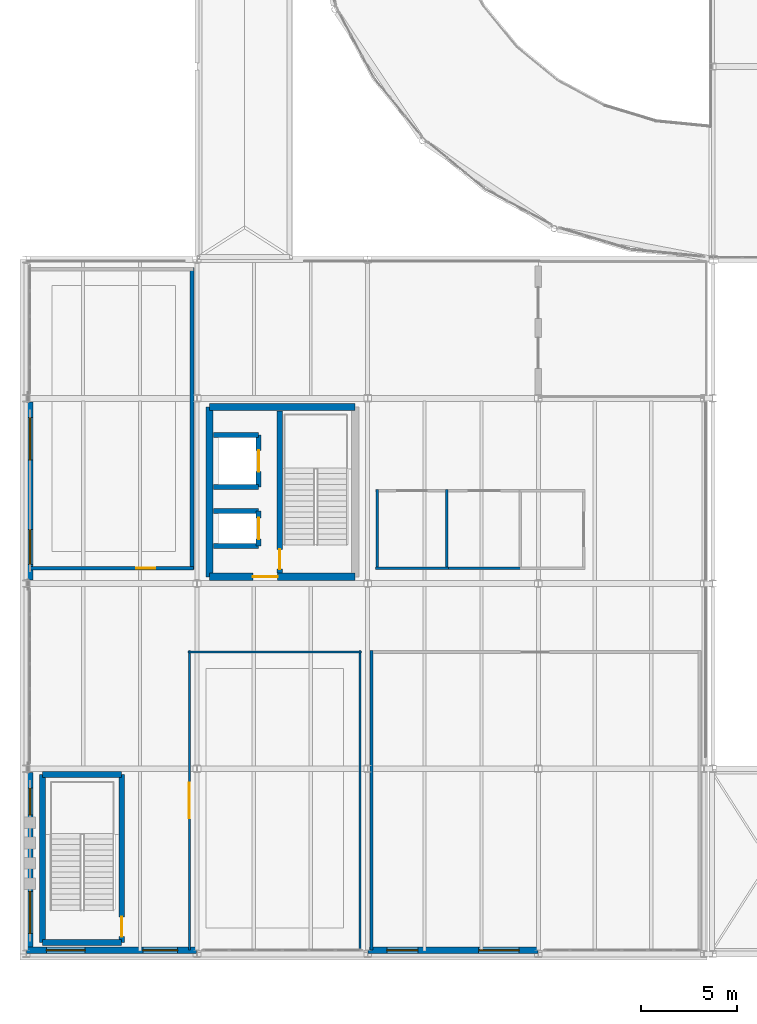
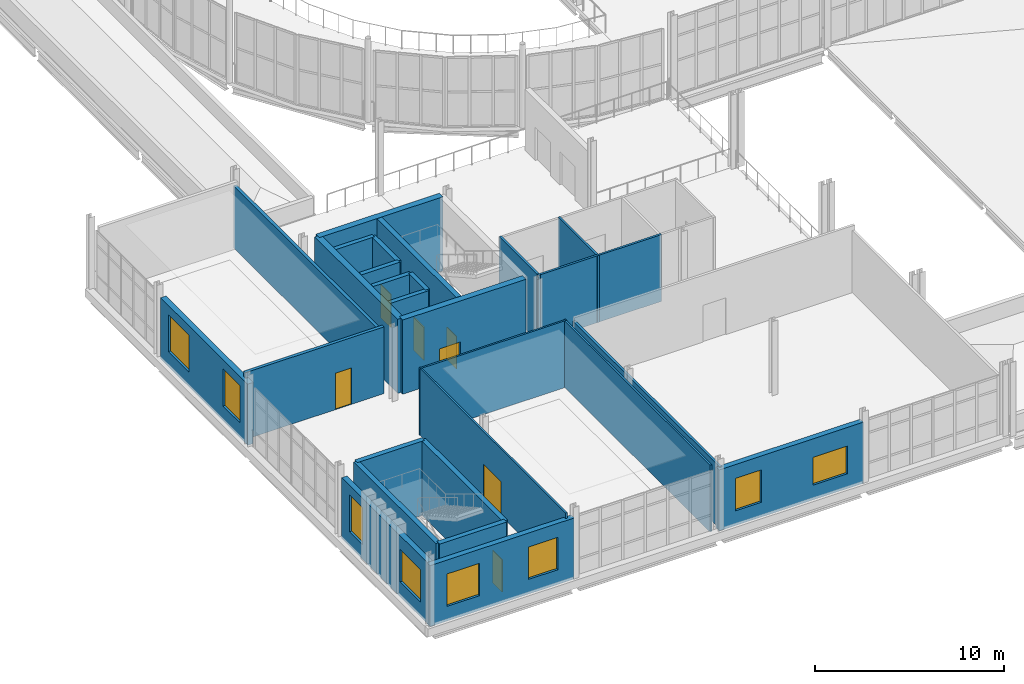
# One storey, part 91 of 112: 28 walls, 8 windows, 7 doors, 15 openings.
"""IFC4 building model written with IfcOpenShell, lengths in metres."""

import ifcopenshell
import ifcopenshell.guid

model = None  # the IFC model being written
_history = None  # IfcOwnerHistory: only IFC2X3 demands one
_inside = {}  # id of a spatial element -> (the spatial element, [elements in it])
_under = {}  # id of a project, library or spatial element -> (it, [spatial elements below it])
_declared = {}  # id of a project -> (the project, [libraries it declares])
_typed = {}  # id of a type object -> (the type object, [elements of that type])
_made_of = {}  # id of a material, layer set ... -> (it, [elements and type objects made of it])


def new_model(schema):
    """Start an empty IFC model of exactly this schema.

    Asked for "IFC4X3", IfcOpenShell would pick the latest addendum, in which some entities
    have other attributes; the version numbers below select the first issue.
    IFC2X3 requires an IfcOwnerHistory on every rooted entity: one is made here for all.
    """
    global model, _history
    if schema == "IFC4X3":
        model = ifcopenshell.file(schema_version=(4, 3, 0, 0))
    else:
        model = ifcopenshell.file(schema=schema)
    _inside.clear()
    _under.clear()
    _declared.clear()
    _typed.clear()
    _made_of.clear()
    _history = None
    if model.schema == "IFC2X3":
        org = make("IfcOrganization", Name="unknown")
        user = make(
            "IfcPersonAndOrganization",
            ThePerson=make("IfcPerson", FamilyName="unknown"),
            TheOrganization=org,
        )
        app = make(
            "IfcApplication",
            ApplicationDeveloper=org,
            Version="unknown",
            ApplicationFullName="unknown",
            ApplicationIdentifier="unknown",
        )
        _history = make(
            "IfcOwnerHistory",
            OwningUser=user,
            OwningApplication=app,
            ChangeAction="ADDED",
            CreationDate=0,
        )
    return model


def make(cls, **values):
    """One entity of the class cls with the attributes given. An attribute that is None is left unset."""
    return model.create_entity(
        cls, **{name: value for name, value in values.items() if value is not None}
    )


def rooted(cls, **values):
    """An entity with a GlobalId (a new one), such as an element, a storey or a relation."""
    return make(cls, GlobalId=ifcopenshell.guid.new(), OwnerHistory=_history, **values)


def si_unit(unit_type, name, prefix=None):
    """IfcSIUnit, for example si_unit("LENGTHUNIT", "METRE", prefix="MILLI")."""
    return make("IfcSIUnit", UnitType=unit_type, Prefix=prefix, Name=name)


def assignment(units):
    """IfcUnitAssignment: the units of a project."""
    return None if units is None else make("IfcUnitAssignment", Units=units)


def point(xyz):
    """IfcCartesianPoint."""
    return None if xyz is None else make("IfcCartesianPoint", Coordinates=xyz)


def direction(xyz):
    """IfcDirection."""
    return None if xyz is None else make("IfcDirection", DirectionRatios=xyz)


def frame(location, z_axis=None, x_axis=None):
    """IfcAxis2Placement3D, a coordinate frame: its origin and axes. An axis left out is left unset."""
    return make(
        "IfcAxis2Placement3D",
        Location=point(location),
        Axis=direction(z_axis),
        RefDirection=direction(x_axis),
    )


def frame_2d(location, x_axis=None):
    """IfcAxis2Placement2D, a coordinate frame in the plane: its origin and x axis."""
    return make(
        "IfcAxis2Placement2D", Location=point(location), RefDirection=direction(x_axis)
    )


def origin():
    """The frame at (0, 0, 0) with its axes left unset."""
    return frame((0.0, 0.0, 0.0))


def place(relative_to, where):
    """IfcLocalPlacement: puts the frame where relative to a parent placement (None: the world)."""
    return make(
        "IfcLocalPlacement", PlacementRelTo=relative_to, RelativePlacement=where
    )


def context(
    kind, dimensions, precision=None, world=None, true_north=None, identifier=None
):
    """IfcGeometricRepresentationContext, for example the 3D "Model" context."""
    return make(
        "IfcGeometricRepresentationContext",
        ContextIdentifier=identifier,
        ContextType=kind,
        CoordinateSpaceDimension=dimensions,
        Precision=precision,
        WorldCoordinateSystem=world,
        TrueNorth=true_north,
    )


def subcontext(parent, identifier, kind, view, scale=None):
    """IfcGeometricRepresentationSubContext, for example "Body" below "Model"."""
    return make(
        "IfcGeometricRepresentationSubContext",
        ContextIdentifier=identifier,
        ContextType=kind,
        ParentContext=parent,
        TargetScale=scale,
        TargetView=view,
    )


def project(units=None, contexts=None):
    """IfcProject with its units and contexts."""
    return rooted(
        "IfcProject",
        Name="project",
        RepresentationContexts=contexts,
        UnitsInContext=assignment(units),
    )


def spatial(cls, under=None, at=None, **own):
    """A site, building, storey or space (cls), placed at a placement, below another one or the project."""
    s = rooted(cls, ObjectPlacement=at, **own)
    if under is not None:
        _under.setdefault(under.id(), (under, []))[1].append(s)
    return s


def profile(cls, at=None, kind="AREA", **sizes):
    """A parametric profile (cls). Its sizes go by their IFC names, for example OverallWidth=200.0."""
    return make(cls, ProfileType=kind, Position=at, **sizes)


def rectangle(**sizes):
    """IfcRectangleProfileDef."""
    return profile("IfcRectangleProfileDef", **sizes)


def extrude(swept, where, along, depth):
    """IfcExtrudedAreaSolid: the profile swept, set in the frame where, extruded along a direction by depth."""
    return make(
        "IfcExtrudedAreaSolid",
        SweptArea=swept,
        Position=where,
        ExtrudedDirection=direction(along),
        Depth=depth,
    )


def shape(context_of_items, identifier, shape_type, items):
    """IfcShapeRepresentation: the items that make up one representation, for example the "Body"."""
    return make(
        "IfcShapeRepresentation",
        ContextOfItems=context_of_items,
        RepresentationIdentifier=identifier,
        RepresentationType=shape_type,
        Items=items,
    )


def material(Name=None, Category=None):
    """IfcMaterial."""
    return make("IfcMaterial", Name=Name, Category=Category)


def layer(
    of_material, thickness, ventilated=None, Name=None, Category=None, Priority=None
):
    """IfcMaterialLayer: one layer of a wall or slab, of a material (None: an air gap)."""
    return make(
        "IfcMaterialLayer",
        Material=of_material,
        LayerThickness=thickness,
        IsVentilated=ventilated,
        Name=Name,
        Category=Category,
        Priority=Priority,
    )


def layer_set(layers, Name=None):
    """IfcMaterialLayerSet."""
    return make("IfcMaterialLayerSet", MaterialLayers=layers, LayerSetName=Name)


def made_of(thing, what):
    """Note that an element or type object is made of a material, layer set ...; save() writes the relation."""
    if what is not None:
        _made_of.setdefault(what.id(), (what, []))[1].append(thing)
    return thing


def type_object(cls, material=None, **own):
    """A type object (cls), such as IfcWallType, which elements share."""
    return made_of(rooted(cls, **own), material)


def element(
    cls,
    number,
    at=None,
    inside=None,
    cuts=None,
    type_object=None,
    material=None,
    context=None,
    identifier="Body",
    shape_type=None,
    held_by="IfcProductDefinitionShape",
    body=None,
    shapes=None,
    **own,
):
    """One element of the class cls, such as IfcWall. Its Tag is "e" and its number.

    at: its placement. inside: the storey or other place that contains it. cuts: it is an
    opening in that element (IfcRelVoidsElement). A single representation is given by context,
    identifier, shape_type and body (its items); several are given by shapes. held_by: the class
    of the entity that holds the representations. save() writes the other relations.
    """
    e = rooted(cls, Tag="e%d" % number, ObjectPlacement=at, **own)
    if body is not None:
        shapes = [shape(context, identifier, shape_type, body)]
    if shapes is not None:
        e.Representation = make(held_by, Representations=shapes)
    if inside is not None:
        _inside.setdefault(inside.id(), (inside, []))[1].append(e)
    if cuts is not None:
        rooted(
            "IfcRelVoidsElement", RelatingBuildingElement=cuts, RelatedOpeningElement=e
        )
    if type_object is not None:
        _typed.setdefault(type_object.id(), (type_object, []))[1].append(e)
    return made_of(e, material)


def fill(opening, filler):
    """IfcRelFillsElement: the door or window that sits in an opening."""
    return rooted(
        "IfcRelFillsElement",
        RelatingOpeningElement=opening,
        RelatedBuildingElement=filler,
    )


def aggregate(whole, parts):
    """IfcRelAggregates: a whole, such as a stair, and the parts it consists of."""
    return rooted("IfcRelAggregates", RelatingObject=whole, RelatedObjects=parts)


def save(model, path):
    """Write the relations noted so far, then the file.

    IfcRelAggregates (storeys below a building ...), IfcRelContainedInSpatialStructure (elements
    in a storey), IfcRelDefinesByType, IfcRelAssociatesMaterial and IfcRelDeclares: one each for
    every whole, place, type object, material and project.
    """
    for whole, parts in _under.values():
        aggregate(whole, parts)
    for where, things in _inside.values():
        rooted(
            "IfcRelContainedInSpatialStructure",
            RelatedElements=things,
            RelatingStructure=where,
        )
    for kind, things in _typed.values():
        rooted("IfcRelDefinesByType", RelatedObjects=things, RelatingType=kind)
    for what, things in _made_of.values():
        rooted("IfcRelAssociatesMaterial", RelatedObjects=things, RelatingMaterial=what)
    for by, libraries in _declared.values():
        rooted("IfcRelDeclares", RelatingContext=by, RelatedDefinitions=libraries)
    model.write(path)


model = new_model("IFC4")

# Units and contexts
model_context = context("Model", 3, precision=1e-05, world=origin(), true_north=direction((0.0, 1.0)))
body_context = subcontext(model_context, "Body", "Model", "MODEL_VIEW")
ifc_project = project(units=[si_unit("LENGTHUNIT", "METRE"), si_unit("AREAUNIT", "SQUARE_METRE"), si_unit("VOLUMEUNIT", "CUBIC_METRE"), si_unit("PLANEANGLEUNIT", "RADIAN"), si_unit("MASSUNIT", "GRAM", prefix="KILO")], contexts=[model_context])

# Site, building, storey
site_placement = place(None, origin())
site = spatial("IfcSite", under=ifc_project, at=site_placement, CompositionType="ELEMENT")
building_placement = place(site_placement, origin())
building = spatial("IfcBuilding", under=site, at=building_placement, Name="Yeouljin Market Hall", CompositionType="ELEMENT")
storey_placement = place(building_placement, frame((0.0, 0.0, 6.0)))
storey = spatial("IfcBuildingStorey", under=building, at=storey_placement, Name="L01", CompositionType="ELEMENT", Elevation=6.0)

# Wall
ifc_material_1 = material(Name="Gypsum Board Acoustic Partition")
ifc_layer_1 = layer(ifc_material_1, 0.14990234375)
ifc_layer_set_1 = layer_set([ifc_layer_1], Name="Gypsum Board Acoustic Partition")
wall_type_1 = type_object("IfcWallType", Name="Part_Classroom_150", PredefinedType="PARTITIONING", material=ifc_layer_set_1)
wall_1_placement = place(storey_placement, frame((17.89990234375, 15.72998046875, 0.0), z_axis=(0.0, 0.0, 1.0), x_axis=(0.0, -1.0, 0.0)))
element("IfcWall", 1, at=wall_1_placement, inside=storey, type_object=wall_type_1, Name="Interior partition PART-L01-0089", PredefinedType="PARTITIONING", context=body_context, shape_type="SweptSolid", body=[
    extrude(rectangle(XDim=15.530029296875, YDim=0.14990234375, at=frame_2d((7.76513671875, 0.0))), origin(), (0.0, 0.0, 1.0), 4.014892578125),
])

# Wall, opening, door
ifc_material_2 = material(Name="Ceramic-Faced Acoustic Partition")
ifc_layer_2 = layer(ifc_material_2, 0.18994140625)
ifc_layer_set_2 = layer_set([ifc_layer_2], Name="Ceramic-Faced Acoustic Partition")
wall_type_2 = type_object("IfcWallType", Name="Part_KitchenTile_190", PredefinedType="PARTITIONING", material=ifc_layer_set_2)
wall_2_placement = place(storey_placement, frame((0.199951171875, 20.0, 0.0), z_axis=(0.0, 0.0, 1.0), x_axis=(1.0, 0.0, 0.0)))
wall_2 = element("IfcWall", 2, at=wall_2_placement, inside=storey, type_object=wall_type_2, Name="Interior partition PART-L01-0091", PredefinedType="PARTITIONING", context=body_context, shape_type="SweptSolid", body=[
    extrude(rectangle(XDim=8.47998046875, YDim=0.18994140625, at=frame_2d((4.239990234375, 0.0))), origin(), (0.0, 0.0, 1.0), 4.320068359375),
])
opening_1_placement = place(wall_2_placement, frame((5.514892578125, 0.0, 0.0)))
opening_1 = element("IfcOpeningElement", 3, at=opening_1_placement, cuts=wall_2, Name="Opening D-L01-029", PredefinedType="OPENING", context=body_context, shape_type="SweptSolid", body=[
    extrude(rectangle(XDim=0.97998046875, YDim=2.360107421875, at=frame_2d((0.489990234375, 1.18017578125))), frame((0.0, 0.10498046875, 0.0), z_axis=(0.0, -1.0, 0.0), x_axis=(1.0, 0.0, 0.0)), (0.0, 0.0, 1.0), 0.2099609375),
])
ifc_material_3 = material(Name="Acoustic Timber Veneer", Category="wood")
door_type_1 = type_object("IfcDoorType", Name="DT-ID098T", OperationType="NOTDEFINED", PredefinedType="DOOR", material=ifc_material_3)
door_1_placement = place(opening_1_placement, origin())
door_1 = element("IfcDoor", 4, at=door_1_placement, inside=storey, type_object=door_type_1, Name="Interior door D-L01-029 (Market Management Office)", OperationType="SINGLE_SWING_LEFT", OverallHeight=2.360107421875, OverallWidth=0.97998046875, PredefinedType="DOOR", context=body_context, shape_type="SweptSolid", body=[
    extrude(rectangle(XDim=0.97998046875, YDim=2.360107421875, at=frame_2d((0.489990234375, 1.18017578125))), frame((0.0, 0.02490234375, 0.0), z_axis=(0.0, -1.0, 0.0), x_axis=(1.0, 0.0, 0.0)), (0.0, 0.0, 1.0), 0.050048828125),
])
fill(opening_1, door_1)

# Wall
wall_3_placement = place(storey_placement, frame((8.60009765625, 19.919921875, 0.0), z_axis=(0.0, 0.0, 1.0), x_axis=(0.0, 1.0, 0.0)))
element("IfcWall", 5, at=wall_3_placement, inside=storey, type_object=wall_type_2, Name="Interior partition PART-L01-0092", PredefinedType="PARTITIONING", context=body_context, shape_type="SweptSolid", body=[
    extrude(rectangle(XDim=15.66015625, YDim=0.18994140625, at=frame_2d((7.830078125, 0.0))), origin(), (0.0, 0.0, 1.0), 4.014892578125),
])

# Wall, opening, door
ifc_material_4 = material(Name="Gypsum Board Partition")
ifc_layer_3 = layer(ifc_material_4, 0.110107421875)
ifc_layer_set_3 = layer_set([ifc_layer_3], Name="Gypsum Board Partition")
wall_type_3 = type_object("IfcWallType", Name="Part_Office_110", PredefinedType="PARTITIONING", material=ifc_layer_set_3)
wall_4_placement = place(storey_placement, frame((8.4599609375, 15.72998046875, 0.0), z_axis=(0.0, 0.0, 1.0), x_axis=(0.0, -1.0, 0.0)))
wall_4 = element("IfcWall", 6, at=wall_4_placement, inside=storey, type_object=wall_type_3, Name="Interior partition PART-L01-0085", PredefinedType="PARTITIONING", context=body_context, shape_type="SweptSolid", body=[
    extrude(rectangle(XDim=15.530029296875, YDim=0.110107421875, at=frame_2d((7.76513671875, 0.0))), origin(), (0.0, 0.0, 1.0), 4.320068359375),
])
opening_2_placement = place(wall_4_placement, frame((6.844970703125, 0.0, 0.0)))
opening_2 = element("IfcOpeningElement", 7, at=opening_2_placement, cuts=wall_4, Name="Opening D-L01-027", PredefinedType="OPENING", context=body_context, shape_type="SweptSolid", body=[
    extrude(rectangle(XDim=1.840087890625, YDim=2.199951171875, at=frame_2d((0.919921875, 1.10009765625))), frame((0.0, 0.06494140625, 0.0), z_axis=(0.0, -1.0, 0.0), x_axis=(1.0, 0.0, 0.0)), (0.0, 0.0, 1.0), 0.130126953125),
])
ifc_material_5 = material(Name="Painted Fire-Rated Steel", Category="steel")
door_type_2 = type_object("IfcDoorType", Name="DT-FD184", OperationType="NOTDEFINED", PredefinedType="DOOR", material=ifc_material_5)
door_2_placement = place(opening_2_placement, origin())
door_2 = element("IfcDoor", 8, at=door_2_placement, inside=storey, type_object=door_type_2, Name="Interior door D-L01-027 (Fermentation Workshop)", OperationType="SINGLE_SWING_LEFT", OverallHeight=2.199951171875, OverallWidth=1.840087890625, PredefinedType="DOOR", context=body_context, shape_type="SweptSolid", body=[
    extrude(rectangle(XDim=1.840087890625, YDim=2.199951171875, at=frame_2d((0.919921875, 1.10009765625))), frame((0.0, 0.02490234375, 0.0), z_axis=(0.0, -1.0, 0.0), x_axis=(1.0, 0.0, 0.0)), (0.0, 0.0, 1.0), 0.050048828125),
])
fill(opening_2, door_2)

# Walls
wall_5_placement = place(storey_placement, frame((17.3798828125, 15.64990234375, 0.0), z_axis=(0.0, 0.0, 1.0), x_axis=(-1.0, 0.0, 0.0)))
element("IfcWall", 9, at=wall_5_placement, inside=storey, type_object=wall_type_3, Name="Interior partition PART-L01-0086", PredefinedType="PARTITIONING", context=body_context, shape_type="SweptSolid", body=[
    extrude(rectangle(XDim=9.0, YDim=0.110107421875, at=frame_2d((4.5, 0.0))), origin(), (0.0, 0.0, 1.0), 4.320068359375),
])
wall_6_placement = place(storey_placement, frame((17.300048828125, 0.199951171875, 0.0), z_axis=(0.0, 0.0, 1.0), x_axis=(0.0, 1.0, 0.0)))
element("IfcWall", 10, at=wall_6_placement, inside=storey, type_object=wall_type_3, Name="Interior partition PART-L01-0087", PredefinedType="PARTITIONING", context=body_context, shape_type="SweptSolid", body=[
    extrude(rectangle(XDim=15.530029296875, YDim=0.110107421875, at=frame_2d((7.76513671875, 0.0))), origin(), (0.0, 0.0, 1.0), 4.320068359375),
])
ifc_material_6 = material(Name="Moisture-Resistant Gypsum Partition")
ifc_layer_4 = layer(ifc_material_6, 0.1298828125)
ifc_layer_set_4 = layer_set([ifc_layer_4], Name="Moisture-Resistant Gypsum Partition")
wall_type_4 = type_object("IfcWallType", Name="Part_Sanitary_130", PredefinedType="PARTITIONING", material=ifc_layer_set_4)
wall_7_placement = place(storey_placement, frame((18.1201171875, 20.0, 0.0), z_axis=(0.0, 0.0, 1.0), x_axis=(1.0, 0.0, 0.0)))
element("IfcWall", 11, at=wall_7_placement, inside=storey, type_object=wall_type_4, Name="Interior partition PART-L01-0072", PredefinedType="PARTITIONING", context=body_context, shape_type="SweptSolid", body=[
    extrude(rectangle(XDim=3.759765625, YDim=0.1298828125, at=frame_2d((1.8798828125, 0.0))), origin(), (0.0, 0.0, 1.0), 4.320068359375),
])
for number, where, z_axis, x_axis, name in (
    (12, (21.800048828125, 19.919921875, 0.0), (0.0, 0.0, 1.0), (0.0, 1.0, 0.0), "Interior partition PART-L01-0073"),
    (13, (18.199951171875, 24.080078125, 0.0), (0.0, 0.0, 1.0), (0.0, -1.0, 0.0), "Interior partition PART-L01-0074"),
):
    element("IfcWall", number, at=place(storey_placement, frame(where, z_axis=z_axis, x_axis=x_axis)), inside=storey, type_object=wall_type_4, Name=name, PredefinedType="PARTITIONING", context=body_context, shape_type="SweptSolid", body=[
        extrude(rectangle(XDim=4.16015625, YDim=0.1298828125, at=frame_2d((2.080078125, 0.0))), origin(), (0.0, 0.0, 1.0), 4.320068359375),
    ])
wall_8_placement = place(storey_placement, frame((21.800048828125, 20.0, 0.0), z_axis=(0.0, 0.0, 1.0), x_axis=(1.0, 0.0, 0.0)))
element("IfcWall", 14, at=wall_8_placement, inside=storey, type_object=wall_type_4, Name="Interior partition PART-L01-0076", PredefinedType="PARTITIONING", context=body_context, shape_type="SweptSolid", body=[
    extrude(rectangle(XDim=3.8798828125, YDim=0.1298828125, at=frame_2d((1.93994140625, 0.0))), origin(), (0.0, 0.0, 1.0), 4.320068359375),
])

# Wall, opening, door
ifc_material_7 = material(Name="Concrete C35/45", Category="concrete")
ifc_layer_5 = layer(ifc_material_7, 0.260009765625)
ifc_layer_set_5 = layer_set([ifc_layer_5], Name="Concrete C35/45")
wall_type_5 = type_object("IfcWallType", Name="Wall_Compartment_260", PredefinedType="SHEAR", material=ifc_layer_set_5)
wall_9_placement = place(storey_placement, frame((12.054931640625, 21.14990234375, 0.0), z_axis=(0.0, 0.0, 1.0), x_axis=(0.0, 1.0, 0.0)))
wall_9 = element("IfcWall", 15, at=wall_9_placement, inside=storey, type_object=wall_type_5, Name="Lift LP-01 hoistway front wall (L01)", PredefinedType="SHEAR", context=body_context, shape_type="SweptSolid", body=[
    extrude(rectangle(XDim=1.800048828125, YDim=0.260009765625, at=frame_2d((0.89990234375, 0.0))), origin(), (0.0, 0.0, 1.0), 4.800048828125),
])
opening_3_placement = place(wall_9_placement, frame((0.35009765625, 0.0, 0.0)))
opening_3 = element("IfcOpeningElement", 16, at=opening_3_placement, cuts=wall_9, Name="Opening LD-LP-01-L01", PredefinedType="OPENING", context=body_context, shape_type="SweptSolid", body=[
    extrude(rectangle(XDim=1.10009765625, YDim=2.14990234375, at=frame_2d((0.550048828125, 1.074951171875))), frame((0.0, 0.139892578125, 0.0), z_axis=(0.0, -1.0, 0.0), x_axis=(1.0, 0.0, 0.0)), (0.0, 0.0, 1.0), 0.280029296875),
])
ifc_material_8 = material(Name="Brushed Stainless Steel", Category="steel")
door_type_3 = type_object("IfcDoorType", Name="LD-110", OperationType="SLIDING_TO_LEFT", PredefinedType="DOOR", material=ifc_material_8)
door_3_placement = place(opening_3_placement, origin())
door_3 = element("IfcDoor", 17, at=door_3_placement, inside=storey, type_object=door_type_3, Name="Lift landing sliding door LD-LP-01-L01", OperationType="SLIDING_TO_LEFT", OverallHeight=2.14990234375, OverallWidth=1.10009765625, PredefinedType="DOOR", context=body_context, shape_type="SweptSolid", body=[
    extrude(rectangle(XDim=1.10009765625, YDim=2.14990234375, at=frame_2d((0.550048828125, 1.074951171875))), frame((0.0, 0.02490234375, 0.0), z_axis=(0.0, -1.0, 0.0), x_axis=(1.0, 0.0, 0.0)), (0.0, 0.0, 1.0), 0.050048828125),
])
fill(opening_3, door_3)

# Walls
for number, where, z_axis, x_axis, name in (
    (18, (9.699951171875, 21.14990234375, 0.0), (0.0, 0.0, 1.0), (1.0, 0.0, 0.0), "Lift LP-01 shaft cheek wall S (L01)"),
    (19, (9.699951171875, 22.949951171875, 0.0), (0.0, 0.0, 1.0), (1.0, 0.0, 0.0), "Lift LP-01 shaft cheek wall N (L01)"),
):
    element("IfcWall", number, at=place(storey_placement, frame(where, z_axis=z_axis, x_axis=x_axis)), inside=storey, type_object=wall_type_5, Name=name, PredefinedType="SHEAR", context=body_context, shape_type="SweptSolid", body=[
        extrude(rectangle(XDim=2.35498046875, YDim=0.260009765625, at=frame_2d((1.177490234375, 0.0))), origin(), (0.0, 0.0, 1.0), 4.800048828125),
    ])

# Wall, opening, door
wall_10_placement = place(storey_placement, frame((12.054931640625, 24.199951171875, 0.0), z_axis=(0.0, 0.0, 1.0), x_axis=(0.0, 1.0, 0.0)))
wall_10 = element("IfcWall", 20, at=wall_10_placement, inside=storey, type_object=wall_type_5, Name="Lift LS-01 hoistway front wall (L01)", PredefinedType="SHEAR", context=body_context, shape_type="SweptSolid", body=[
    extrude(rectangle(XDim=2.699951171875, YDim=0.260009765625, at=frame_2d((1.35009765625, 0.0))), origin(), (0.0, 0.0, 1.0), 4.800048828125),
])
opening_4_placement = place(wall_10_placement, frame((0.800048828125, 0.0, 0.0)))
opening_4 = element("IfcOpeningElement", 21, at=opening_4_placement, cuts=wall_10, Name="Opening LD-LS-01-L01", PredefinedType="OPENING", context=body_context, shape_type="SweptSolid", body=[
    extrude(rectangle(XDim=1.10009765625, YDim=2.14990234375, at=frame_2d((0.550048828125, 1.074951171875))), frame((0.0, 0.139892578125, 0.0), z_axis=(0.0, -1.0, 0.0), x_axis=(1.0, 0.0, 0.0)), (0.0, 0.0, 1.0), 0.280029296875),
])
door_4_placement = place(opening_4_placement, origin())
door_4 = element("IfcDoor", 22, at=door_4_placement, inside=storey, type_object=door_type_3, Name="Lift landing sliding door LD-LS-01-L01", OperationType="SLIDING_TO_LEFT", OverallHeight=2.14990234375, OverallWidth=1.10009765625, PredefinedType="DOOR", context=body_context, shape_type="SweptSolid", body=[
    extrude(rectangle(XDim=1.10009765625, YDim=2.14990234375, at=frame_2d((0.550048828125, 1.074951171875))), frame((0.0, 0.02490234375, 0.0), z_axis=(0.0, -1.0, 0.0), x_axis=(1.0, 0.0, 0.0)), (0.0, 0.0, 1.0), 0.050048828125),
])
fill(opening_4, door_4)

# Walls
for number, where, z_axis, x_axis, name in (
    (23, (9.699951171875, 24.199951171875, 0.0), (0.0, 0.0, 1.0), (1.0, 0.0, 0.0), "Lift LS-01 shaft cheek wall S (L01)"),
    (24, (9.699951171875, 26.89990234375, 0.0), (0.0, 0.0, 1.0), (1.0, 0.0, 0.0), "Lift LS-01 shaft cheek wall N (L01)"),
):
    element("IfcWall", number, at=place(storey_placement, frame(where, z_axis=z_axis, x_axis=x_axis)), inside=storey, type_object=wall_type_5, Name=name, PredefinedType="SHEAR", context=body_context, shape_type="SweptSolid", body=[
        extrude(rectangle(XDim=2.35498046875, YDim=0.260009765625, at=frame_2d((1.177490234375, 0.0))), origin(), (0.0, 0.0, 1.0), 4.800048828125),
    ])

# Wall, opening, door
ifc_material_9 = material(Name="Concrete C35/45", Category="concrete")
ifc_layer_6 = layer(ifc_material_9, 0.3798828125)
ifc_layer_set_6 = layer_set([ifc_layer_6], Name="Concrete C35/45")
wall_type_6 = type_object("IfcWallType", Name="Wall_CoreShear_380", PredefinedType="SHEAR", material=ifc_layer_set_6)
wall_11_placement = place(storey_placement, frame((9.5, 19.550048828125, 0.0), z_axis=(0.0, 0.0, 1.0), x_axis=(1.0, 0.0, 0.0)))
wall_11 = element("IfcWall", 25, at=wall_11_placement, inside=storey, type_object=wall_type_6, Name="Core C1 south shear wall (L01)", PredefinedType="SHEAR", context=body_context, shape_type="SweptSolid", body=[
    extrude(rectangle(XDim=7.550048828125, YDim=0.3798828125, at=frame_2d((3.77490234375, 0.0))), origin(), (0.0, 0.0, 1.0), 4.800048828125),
])
opening_5_placement = place(wall_11_placement, frame((2.25, 0.0, 0.0)))
opening_5 = element("IfcOpeningElement", 26, at=opening_5_placement, cuts=wall_11, Name="Opening FD-C1-L01-01", PredefinedType="OPENING", context=body_context, shape_type="SweptSolid", body=[
    extrude(rectangle(XDim=1.280029296875, YDim=2.14990234375, at=frame_2d((0.64013671875, 1.074951171875))), frame((0.0, 0.199951171875, 0.0), z_axis=(0.0, -1.0, 0.0), x_axis=(1.0, 0.0, 0.0)), (0.0, 0.0, 1.0), 0.39990234375),
])
ifc_material_10 = material(Name="Painted Fire-Rated Steel", Category="steel")
door_type_4 = type_object("IfcDoorType", Name="DT-FD128", OperationType="NOTDEFINED", PredefinedType="DOOR", material=ifc_material_10)
door_5_placement = place(opening_5_placement, origin())
door_5 = element("IfcDoor", 27, at=door_5_placement, inside=storey, type_object=door_type_4, Name="Core C1 lobby fire door (L01)", OperationType="SINGLE_SWING_LEFT", OverallHeight=2.14990234375, OverallWidth=1.280029296875, PredefinedType="DOOR", context=body_context, shape_type="SweptSolid", body=[
    extrude(rectangle(XDim=1.280029296875, YDim=2.14990234375, at=frame_2d((0.64013671875, 1.074951171875))), frame((0.0, 0.02490234375, 0.0), z_axis=(0.0, -1.0, 0.0), x_axis=(1.0, 0.0, 0.0)), (0.0, 0.0, 1.0), 0.050048828125),
])
fill(opening_5, door_5)

# Walls
wall_12_placement = place(storey_placement, frame((17.050048828125, 28.35009765625, 0.0), z_axis=(0.0, 0.0, 1.0), x_axis=(-1.0, 0.0, 0.0)))
element("IfcWall", 28, at=wall_12_placement, inside=storey, type_object=wall_type_6, Name="Core C1 north shear wall (L01)", PredefinedType="SHEAR", context=body_context, shape_type="SweptSolid", body=[
    extrude(rectangle(XDim=7.550048828125, YDim=0.3798828125, at=frame_2d((3.77490234375, 0.0))), origin(), (0.0, 0.0, 1.0), 4.800048828125),
])
wall_13_placement = place(storey_placement, frame((9.5, 28.35009765625, 0.0), z_axis=(0.0, 0.0, 1.0), x_axis=(0.0, -1.0, 0.0)))
element("IfcWall", 29, at=wall_13_placement, inside=storey, type_object=wall_type_6, Name="Core C1 west shear wall (L01)", PredefinedType="SHEAR", context=body_context, shape_type="SweptSolid", body=[
    extrude(rectangle(XDim=8.800048828125, YDim=0.3798828125, at=frame_2d((4.39990234375, 0.0))), origin(), (0.0, 0.0, 1.0), 4.800048828125),
])

# Wall, openings, windows
ifc_material_11 = material(Name="Clinker Brick Masonry F2-S2", Category="masonry")
ifc_layer_7 = layer(ifc_material_11, 0.330078125)
ifc_layer_set_7 = layer_set([ifc_layer_7], Name="Clinker Brick Masonry F2-S2")
wall_type_7 = type_object("IfcWallType", Name="Wall_Ext_ClinkerCavity_330", PredefinedType="SOLIDWALL", material=ifc_layer_set_7)
wall_14_placement = place(storey_placement, frame((26.5380859375, 0.199951171875, 0.0), z_axis=(0.0, 0.0, 1.0), x_axis=(-1.0, 0.0, 0.0)))
wall_14 = element("IfcWall", 30, at=wall_14_placement, inside=storey, type_object=wall_type_7, Name="Exterior wall WE-L01-B02", PredefinedType="SOLIDWALL", context=body_context, shape_type="SweptSolid", body=[
    extrude(rectangle(XDim=8.826171875, YDim=0.330078125, at=frame_2d((4.4130859375, 0.0))), origin(), (0.0, 0.0, 1.0), 3.949951171875),
])
opening_6_placement = place(wall_14_placement, frame((0.988037109375, 0.0, 0.949951171875)))
opening_6 = element("IfcOpeningElement", 31, at=opening_6_placement, cuts=wall_14, Name="Opening WN-08", PredefinedType="OPENING", context=body_context, shape_type="SweptSolid", body=[
    extrude(rectangle(XDim=2.10009765625, YDim=1.800048828125, at=frame_2d((1.050048828125, 0.89990234375))), frame((0.0, 0.175048828125, 0.0), z_axis=(0.0, -1.0, 0.0), x_axis=(1.0, 0.0, 0.0)), (0.0, 0.0, 1.0), 0.35009765625),
])
opening_7_placement = place(wall_14_placement, frame((6.238037109375, 0.0, 0.949951171875)))
opening_7 = element("IfcOpeningElement", 32, at=opening_7_placement, cuts=wall_14, Name="Opening WN-15", PredefinedType="OPENING", context=body_context, shape_type="SweptSolid", body=[
    extrude(rectangle(XDim=1.60009765625, YDim=2.10009765625, at=frame_2d((0.800048828125, 1.050048828125))), frame((0.0, 0.175048828125, 0.0), z_axis=(0.0, -1.0, 0.0), x_axis=(1.0, 0.0, 0.0)), (0.0, 0.0, 1.0), 0.35009765625),
])
ifc_material_12 = material(Name="Low-E Insulated Glass", Category="glass")
window_type_1 = type_object("IfcWindowType", Name="Win_Ladder_1600x2100", PartitioningType="DOUBLE_PANEL_HORIZONTAL", PredefinedType="WINDOW", material=ifc_material_12)
window_1_placement = place(opening_7_placement, origin())
window_1 = element("IfcWindow", 33, at=window_1_placement, inside=storey, type_object=window_type_1, Name="Exterior window WIN-L01-B02B", OverallHeight=2.10009765625, OverallWidth=1.60009765625, PartitioningType="SINGLE_PANEL", PredefinedType="WINDOW", context=body_context, shape_type="SweptSolid", body=[
    extrude(rectangle(XDim=1.60009765625, YDim=2.10009765625, at=frame_2d((0.800048828125, 1.050048828125))), frame((0.0, 0.030029296875, 0.0), z_axis=(0.0, -1.0, 0.0), x_axis=(1.0, 0.0, 0.0)), (0.0, 0.0, 1.0), 0.06005859375),
])
fill(opening_7, window_1)
ifc_material_13 = material(Name="Low-E Insulated Glass", Category="glass")
window_type_2 = type_object("IfcWindowType", Name="Win_Ladder_2100x1800", PartitioningType="TRIPLE_PANEL_VERTICAL", PredefinedType="WINDOW", material=ifc_material_13)
window_2_placement = place(opening_6_placement, origin())
window_2 = element("IfcWindow", 34, at=window_2_placement, inside=storey, type_object=window_type_2, Name="Exterior window WIN-L01-B02A", OverallHeight=1.800048828125, OverallWidth=2.10009765625, PartitioningType="SINGLE_PANEL", PredefinedType="WINDOW", context=body_context, shape_type="SweptSolid", body=[
    extrude(rectangle(XDim=2.10009765625, YDim=1.800048828125, at=frame_2d((1.050048828125, 0.89990234375))), frame((0.0, 0.030029296875, 0.0), z_axis=(0.0, -1.0, 0.0), x_axis=(1.0, 0.0, 0.0)), (0.0, 0.0, 1.0), 0.06005859375),
])
fill(opening_6, window_2)

wall_15_placement = place(storey_placement, frame((8.8359375, 0.199951171875, 0.0), z_axis=(0.0, 0.0, 1.0), x_axis=(-1.0, 0.0, 0.0)))
wall_15 = element("IfcWall", 35, at=wall_15_placement, inside=storey, type_object=wall_type_7, Name="Exterior wall WE-L01-B04", PredefinedType="SOLIDWALL", context=body_context, shape_type="SweptSolid", body=[
    extrude(rectangle(XDim=8.822021484375, YDim=0.330078125, at=frame_2d((4.4111328125, 0.0))), origin(), (0.0, 0.0, 1.0), 3.949951171875),
])
opening_8_placement = place(wall_15_placement, frame((0.986083984375, 0.0, 0.949951171875)))
opening_8 = element("IfcOpeningElement", 36, at=opening_8_placement, cuts=wall_15, Name="Opening WN-16", PredefinedType="OPENING", context=body_context, shape_type="SweptSolid", body=[
    extrude(rectangle(XDim=1.800048828125, YDim=2.10009765625, at=frame_2d((0.89990234375, 1.050048828125))), frame((0.0, 0.175048828125, 0.0), z_axis=(0.0, -1.0, 0.0), x_axis=(1.0, 0.0, 0.0)), (0.0, 0.0, 1.0), 0.35009765625),
])
opening_9_placement = place(wall_15_placement, frame((5.785888671875, 0.0, 0.949951171875)))
opening_9 = element("IfcOpeningElement", 37, at=opening_9_placement, cuts=wall_15, Name="Opening WN-17", PredefinedType="OPENING", context=body_context, shape_type="SweptSolid", body=[
    extrude(rectangle(XDim=2.0, YDim=2.10009765625, at=frame_2d((1.0, 1.050048828125))), frame((0.0, 0.175048828125, 0.0), z_axis=(0.0, -1.0, 0.0), x_axis=(1.0, 0.0, 0.0)), (0.0, 0.0, 1.0), 0.35009765625),
])
ifc_material_14 = material(Name="Low-E Insulated Glass", Category="glass")
window_type_3 = type_object("IfcWindowType", Name="Win_Ladder_1800x2100", PartitioningType="TRIPLE_PANEL_VERTICAL", PredefinedType="WINDOW", material=ifc_material_14)
window_3_placement = place(opening_8_placement, origin())
window_3 = element("IfcWindow", 38, at=window_3_placement, inside=storey, type_object=window_type_3, Name="Exterior window WIN-L01-B04A", OverallHeight=2.10009765625, OverallWidth=1.800048828125, PartitioningType="SINGLE_PANEL", PredefinedType="WINDOW", context=body_context, shape_type="SweptSolid", body=[
    extrude(rectangle(XDim=1.800048828125, YDim=2.10009765625, at=frame_2d((0.89990234375, 1.050048828125))), frame((0.0, 0.030029296875, 0.0), z_axis=(0.0, -1.0, 0.0), x_axis=(1.0, 0.0, 0.0)), (0.0, 0.0, 1.0), 0.06005859375),
])
fill(opening_8, window_3)
ifc_material_15 = material(Name="Low-E Insulated Glass", Category="glass")
window_type_4 = type_object("IfcWindowType", Name="Win_Ladder_2000x2100", PartitioningType="TRIPLE_PANEL_VERTICAL", PredefinedType="WINDOW", material=ifc_material_15)
window_4_placement = place(opening_9_placement, origin())
window_4 = element("IfcWindow", 39, at=window_4_placement, inside=storey, type_object=window_type_4, Name="Exterior window WIN-L01-B04B", OverallHeight=2.10009765625, OverallWidth=2.0, PartitioningType="SINGLE_PANEL", PredefinedType="WINDOW", context=body_context, shape_type="SweptSolid", body=[
    extrude(rectangle(XDim=2.0, YDim=2.10009765625, at=frame_2d((1.0, 1.050048828125))), frame((0.0, 0.030029296875, 0.0), z_axis=(0.0, -1.0, 0.0), x_axis=(1.0, 0.0, 0.0)), (0.0, 0.0, 1.0), 0.06005859375),
])
fill(opening_9, window_4)

wall_16_placement = place(storey_placement, frame((0.199951171875, 0.181884765625, 0.0), z_axis=(0.0, 0.0, 1.0), x_axis=(0.0, 1.0, 0.0)))
wall_16 = element("IfcWall", 40, at=wall_16_placement, inside=storey, type_object=wall_type_7, Name="Exterior wall WE-L01-B05", PredefinedType="SOLIDWALL", context=body_context, shape_type="SweptSolid", body=[
    extrude(rectangle(XDim=9.236083984375, YDim=0.330078125, at=frame_2d((4.6181640625, 0.0))), origin(), (0.0, 0.0, 1.0), 3.949951171875),
])
opening_10_placement = place(wall_16_placement, frame((0.867919921875, 0.0, 0.949951171875)))
opening_10 = element("IfcOpeningElement", 41, at=opening_10_placement, cuts=wall_16, Name="Opening WN-18", PredefinedType="OPENING", context=body_context, shape_type="SweptSolid", body=[
    extrude(rectangle(XDim=2.199951171875, YDim=2.10009765625, at=frame_2d((1.10009765625, 1.050048828125))), frame((0.0, 0.175048828125, 0.0), z_axis=(0.0, -1.0, 0.0), x_axis=(1.0, 0.0, 0.0)), (0.0, 0.0, 1.0), 0.35009765625),
])
opening_11_placement = place(wall_16_placement, frame((7.01806640625, 0.0, 0.949951171875)))
opening_11 = element("IfcOpeningElement", 42, at=opening_11_placement, cuts=wall_16, Name="Opening WN-27", PredefinedType="OPENING", context=body_context, shape_type="SweptSolid", body=[
    extrude(rectangle(XDim=1.39990234375, YDim=2.39990234375, at=frame_2d((0.699951171875, 1.199951171875))), frame((0.0, 0.175048828125, 0.0), z_axis=(0.0, -1.0, 0.0), x_axis=(1.0, 0.0, 0.0)), (0.0, 0.0, 1.0), 0.35009765625),
])
ifc_material_16 = material(Name="Low-E Insulated Glass", Category="glass")
window_type_5 = type_object("IfcWindowType", Name="Win_Ladder_1400x2400", PartitioningType="DOUBLE_PANEL_HORIZONTAL", PredefinedType="WINDOW", material=ifc_material_16)
window_5_placement = place(opening_11_placement, origin())
window_5 = element("IfcWindow", 43, at=window_5_placement, inside=storey, type_object=window_type_5, Name="Exterior window WIN-L01-B05B", OverallHeight=2.39990234375, OverallWidth=1.39990234375, PartitioningType="SINGLE_PANEL", PredefinedType="WINDOW", context=body_context, shape_type="SweptSolid", body=[
    extrude(rectangle(XDim=1.39990234375, YDim=2.39990234375, at=frame_2d((0.699951171875, 1.199951171875))), frame((0.0, 0.030029296875, 0.0), z_axis=(0.0, -1.0, 0.0), x_axis=(1.0, 0.0, 0.0)), (0.0, 0.0, 1.0), 0.06005859375),
])
fill(opening_11, window_5)
ifc_material_17 = material(Name="Low-E Insulated Glass", Category="glass")
window_type_6 = type_object("IfcWindowType", Name="Win_Ladder_2200x2100", PartitioningType="TRIPLE_PANEL_VERTICAL", PredefinedType="WINDOW", material=ifc_material_17)
window_6_placement = place(opening_10_placement, origin())
window_6 = element("IfcWindow", 44, at=window_6_placement, inside=storey, type_object=window_type_6, Name="Exterior window WIN-L01-B05A", OverallHeight=2.10009765625, OverallWidth=2.199951171875, PartitioningType="SINGLE_PANEL", PredefinedType="WINDOW", context=body_context, shape_type="SweptSolid", body=[
    extrude(rectangle(XDim=2.199951171875, YDim=2.10009765625, at=frame_2d((1.10009765625, 1.050048828125))), frame((0.0, 0.030029296875, 0.0), z_axis=(0.0, -1.0, 0.0), x_axis=(1.0, 0.0, 0.0)), (0.0, 0.0, 1.0), 0.06005859375),
])
fill(opening_10, window_6)

wall_17_placement = place(storey_placement, frame((0.199951171875, 19.382080078125, 0.0), z_axis=(0.0, 0.0, 1.0), x_axis=(0.0, 1.0, 0.0)))
wall_17 = element("IfcWall", 45, at=wall_17_placement, inside=storey, type_object=wall_type_7, Name="Exterior wall WE-L01-B07", PredefinedType="SOLIDWALL", context=body_context, shape_type="SweptSolid", body=[
    extrude(rectangle(XDim=9.23583984375, YDim=0.330078125, at=frame_2d((4.617919921875, 0.0))), origin(), (0.0, 0.0, 1.0), 3.949951171875),
])
opening_12_placement = place(wall_17_placement, frame((0.818115234375, 0.0, 0.949951171875)))
opening_12 = element("IfcOpeningElement", 46, at=opening_12_placement, cuts=wall_17, Name="Opening WN-28", PredefinedType="OPENING", context=body_context, shape_type="SweptSolid", body=[
    extrude(rectangle(XDim=1.800048828125, YDim=2.39990234375, at=frame_2d((0.89990234375, 1.199951171875))), frame((0.0, 0.175048828125, 0.0), z_axis=(0.0, -1.0, 0.0), x_axis=(1.0, 0.0, 0.0)), (0.0, 0.0, 1.0), 0.35009765625),
])
opening_13_placement = place(wall_17_placement, frame((6.218017578125, 0.0, 0.949951171875)))
opening_13 = element("IfcOpeningElement", 47, at=opening_13_placement, cuts=wall_17, Name="Opening WN-29", PredefinedType="OPENING", context=body_context, shape_type="SweptSolid", body=[
    extrude(rectangle(XDim=2.199951171875, YDim=2.39990234375, at=frame_2d((1.10009765625, 1.199951171875))), frame((0.0, 0.175048828125, 0.0), z_axis=(0.0, -1.0, 0.0), x_axis=(1.0, 0.0, 0.0)), (0.0, 0.0, 1.0), 0.35009765625),
])
ifc_material_18 = material(Name="Low-E Insulated Glass", Category="glass")
window_type_7 = type_object("IfcWindowType", Name="Win_Ladder_1800x2400", PartitioningType="TRIPLE_PANEL_VERTICAL", PredefinedType="WINDOW", material=ifc_material_18)
window_7_placement = place(opening_12_placement, origin())
window_7 = element("IfcWindow", 48, at=window_7_placement, inside=storey, type_object=window_type_7, Name="Exterior window WIN-L01-B07A", OverallHeight=2.39990234375, OverallWidth=1.800048828125, PartitioningType="SINGLE_PANEL", PredefinedType="WINDOW", context=body_context, shape_type="SweptSolid", body=[
    extrude(rectangle(XDim=1.800048828125, YDim=2.39990234375, at=frame_2d((0.89990234375, 1.199951171875))), frame((0.0, 0.030029296875, 0.0), z_axis=(0.0, -1.0, 0.0), x_axis=(1.0, 0.0, 0.0)), (0.0, 0.0, 1.0), 0.06005859375),
])
fill(opening_12, window_7)
ifc_material_19 = material(Name="Low-E Insulated Glass", Category="glass")
window_type_8 = type_object("IfcWindowType", Name="Win_Ladder_2200x2400", PartitioningType="TRIPLE_PANEL_VERTICAL", PredefinedType="WINDOW", material=ifc_material_19)
window_8_placement = place(opening_13_placement, origin())
window_8 = element("IfcWindow", 49, at=window_8_placement, inside=storey, type_object=window_type_8, Name="Exterior window WIN-L01-B07B", OverallHeight=2.39990234375, OverallWidth=2.199951171875, PartitioningType="SINGLE_PANEL", PredefinedType="WINDOW", context=body_context, shape_type="SweptSolid", body=[
    extrude(rectangle(XDim=2.199951171875, YDim=2.39990234375, at=frame_2d((1.10009765625, 1.199951171875))), frame((0.0, 0.030029296875, 0.0), z_axis=(0.0, -1.0, 0.0), x_axis=(1.0, 0.0, 0.0)), (0.0, 0.0, 1.0), 0.06005859375),
])
fill(opening_13, window_8)

# Wall, opening, door
ifc_material_20 = material(Name="Concrete C35/45", Category="concrete")
ifc_layer_8 = layer(ifc_material_20, 0.300048828125)
ifc_layer_set_8 = layer_set([ifc_layer_8], Name="Concrete C35/45")
wall_type_8 = type_object("IfcWallType", Name="Wall_ShaftShear_300", PredefinedType="SHEAR", material=ifc_layer_set_8)
wall_18_placement = place(storey_placement, frame((13.14990234375, 19.75, 0.0), z_axis=(0.0, 0.0, 1.0), x_axis=(0.0, 1.0, 0.0)))
wall_18 = element("IfcWall", 50, at=wall_18_placement, inside=storey, type_object=wall_type_8, Name="Core C1 stairwell divider wall (L01)", PredefinedType="SHEAR", context=body_context, shape_type="SweptSolid", body=[
    extrude(rectangle(XDim=8.39990234375, YDim=0.300048828125, at=frame_2d((4.199951171875, 0.0))), origin(), (0.0, 0.0, 1.0), 4.800048828125),
])
opening_14_placement = place(wall_18_placement, frame((0.199951171875, 0.0, 0.0)))
opening_14 = element("IfcOpeningElement", 51, at=opening_14_placement, cuts=wall_18, Name="Opening SD-C1-L01", PredefinedType="OPENING", context=body_context, shape_type="SweptSolid", body=[
    extrude(rectangle(XDim=1.02001953125, YDim=2.10009765625, at=frame_2d((0.510009765625, 1.050048828125))), frame((0.0, 0.159912109375, 0.0), z_axis=(0.0, -1.0, 0.0), x_axis=(1.0, 0.0, 0.0)), (0.0, 0.0, 1.0), 0.320068359375),
])
ifc_material_21 = material(Name="Painted Fire-Rated Steel", Category="steel")
door_type_5 = type_object("IfcDoorType", Name="DT-FD102", OperationType="NOTDEFINED", PredefinedType="DOOR", material=ifc_material_21)
door_6_placement = place(opening_14_placement, origin())
door_6 = element("IfcDoor", 52, at=door_6_placement, inside=storey, type_object=door_type_5, Name="Core C1 exit stair door (L01)", OperationType="SINGLE_SWING_RIGHT", OverallHeight=2.10009765625, OverallWidth=1.02001953125, PredefinedType="DOOR", context=body_context, shape_type="SweptSolid", body=[
    extrude(rectangle(XDim=1.02001953125, YDim=2.10009765625, at=frame_2d((0.510009765625, 1.050048828125))), frame((0.0, 0.02490234375, 0.0), z_axis=(0.0, -1.0, 0.0), x_axis=(1.0, 0.0, 0.0)), (0.0, 0.0, 1.0), 0.050048828125),
])
fill(opening_14, door_6)

# Walls
for number, where, z_axis, x_axis, name in (
    (53, (0.85009765625, 0.60009765625, 0.0), (0.0, 0.0, 1.0), (1.0, 0.0, 0.0), "Core S7 south shear wall (L01)"),
    (54, (4.949951171875, 9.300048828125, 0.0), (0.0, 0.0, 1.0), (-1.0, 0.0, 0.0), "Core S7 north shear wall (L01)"),
):
    element("IfcWall", number, at=place(storey_placement, frame(where, z_axis=z_axis, x_axis=x_axis)), inside=storey, type_object=wall_type_8, Name=name, PredefinedType="SHEAR", context=body_context, shape_type="SweptSolid", body=[
        extrude(rectangle(XDim=4.099853515625, YDim=0.300048828125, at=frame_2d((2.0498046875, 0.0))), origin(), (0.0, 0.0, 1.0), 4.800048828125),
    ])
wall_19_placement = place(storey_placement, frame((0.85009765625, 9.300048828125, 0.0), z_axis=(0.0, 0.0, 1.0), x_axis=(0.0, -1.0, 0.0)))
element("IfcWall", 55, at=wall_19_placement, inside=storey, type_object=wall_type_8, Name="Core S7 west shear wall (L01)", PredefinedType="SHEAR", context=body_context, shape_type="SweptSolid", body=[
    extrude(rectangle(XDim=8.699951171875, YDim=0.300048828125, at=frame_2d((4.35009765625, 0.0))), origin(), (0.0, 0.0, 1.0), 4.800048828125),
])

# Wall, opening, door
wall_20_placement = place(storey_placement, frame((4.949951171875, 0.60009765625, 0.0), z_axis=(0.0, 0.0, 1.0), x_axis=(0.0, 1.0, 0.0)))
wall_20 = element("IfcWall", 56, at=wall_20_placement, inside=storey, type_object=wall_type_8, Name="Core S7 east shear wall (L01)", PredefinedType="SHEAR", context=body_context, shape_type="SweptSolid", body=[
    extrude(rectangle(XDim=8.699951171875, YDim=0.300048828125, at=frame_2d((4.35009765625, 0.0))), origin(), (0.0, 0.0, 1.0), 4.800048828125),
])
opening_15_placement = place(wall_20_placement, frame((0.300048828125, 0.0, 0.0)))
opening_15 = element("IfcOpeningElement", 57, at=opening_15_placement, cuts=wall_20, Name="Opening SD-S7-L01", PredefinedType="OPENING", context=body_context, shape_type="SweptSolid", body=[
    extrude(rectangle(XDim=1.02001953125, YDim=2.10009765625, at=frame_2d((0.510009765625, 1.050048828125))), frame((0.0, 0.159912109375, 0.0), z_axis=(0.0, -1.0, 0.0), x_axis=(1.0, 0.0, 0.0)), (0.0, 0.0, 1.0), 0.320068359375),
])
door_7_placement = place(opening_15_placement, origin())
door_7 = element("IfcDoor", 58, at=door_7_placement, inside=storey, type_object=door_type_5, Name="Escape stair S7 fire door (L01)", OperationType="SINGLE_SWING_RIGHT", OverallHeight=2.10009765625, OverallWidth=1.02001953125, PredefinedType="DOOR", context=body_context, shape_type="SweptSolid", body=[
    extrude(rectangle(XDim=1.02001953125, YDim=2.10009765625, at=frame_2d((0.510009765625, 1.050048828125))), frame((0.0, 0.02490234375, 0.0), z_axis=(0.0, -1.0, 0.0), x_axis=(1.0, 0.0, 0.0)), (0.0, 0.0, 1.0), 0.050048828125),
])
fill(opening_15, door_7)

save(model, "model.ifc")
